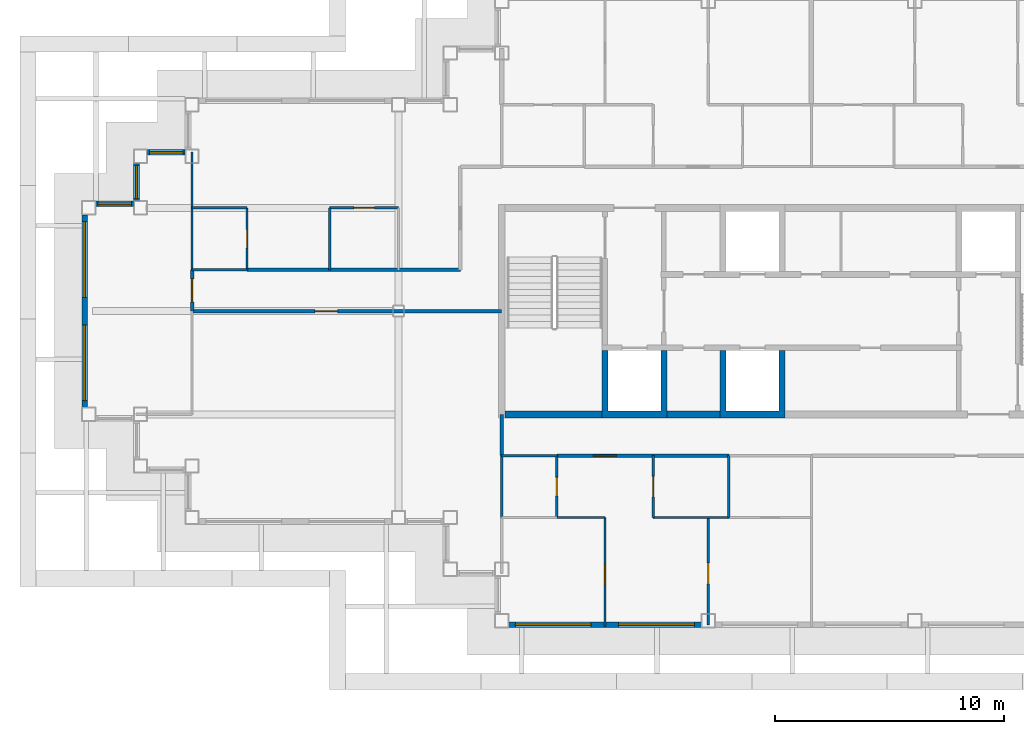
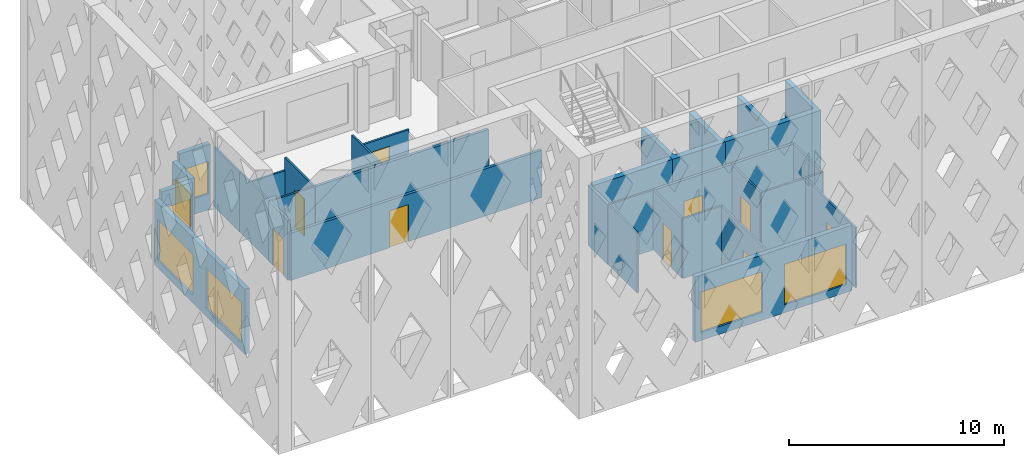
# One storey, part 2 of 15: 30 walls, 9 doors, 7 windows, 16 openings.
"""IFC4 building model written with IfcOpenShell, lengths in metres."""

from ifc_helpers import new_model, si_unit, direction, frame, frame_2d, origin, place, context, subcontext, project, spatial, polyline, rectangle, outline, extrude, material, layer, layer_set, type_object, element, fill, save


model = new_model("IFC4")

# Units and contexts
model_context = context("Model", 3, precision=1e-05, world=origin(), true_north=direction((0.0, 1.0)))
body_context = subcontext(model_context, "Body", "Model", "MODEL_VIEW")
ifc_project = project(units=[si_unit("LENGTHUNIT", "METRE"), si_unit("AREAUNIT", "SQUARE_METRE"), si_unit("VOLUMEUNIT", "CUBIC_METRE"), si_unit("PLANEANGLEUNIT", "RADIAN"), si_unit("MASSUNIT", "GRAM", prefix="KILO")], contexts=[model_context])

# Site, building, storey
site_placement = place(None, origin())
site = spatial("IfcSite", under=ifc_project, at=site_placement, CompositionType="ELEMENT")
building_placement = place(site_placement, origin())
building = spatial("IfcBuilding", under=site, at=building_placement, Name="Caravel Reach Hotel and Residences", CompositionType="ELEMENT")
storey_placement = place(building_placement, frame((0.0, 0.0, 237.89990234375)))
storey = spatial("IfcBuildingStorey", under=building, at=storey_placement, Name="L60", CompositionType="ELEMENT", Elevation=237.89990234375)

# Walls
ifc_material_1 = material(Name="Gypsum board on steel stud", Category="steel")
ifc_layer_1 = layer(ifc_material_1, 0.10009765625)
ifc_layer_set_1 = layer_set([ifc_layer_1], Name="Bathroom pod wall 100 mm")
wall_type_1 = type_object("IfcWallType", Name="Bathroom pod wall 100 mm", PredefinedType="PARTITIONING", material=ifc_layer_set_1)
for number, where, z_axis, x_axis, name in (
    (1, (18.0, 20.699951171875, 0.0), (0.0, 0.0, 1.0), (1.0, 0.0, 0.0), "L60 wall w053"),
    (2, (4.5, 28.800048828125, 0.0), (0.0, 0.0, 1.0), (1.0, 0.0, 0.0), "L60 wall w055"),
):
    element("IfcWall", number, at=place(storey_placement, frame(where, z_axis=z_axis, x_axis=x_axis)), inside=storey, type_object=wall_type_1, Name=name, PredefinedType="PARTITIONING", context=body_context, shape_type="SweptSolid", body=[
        extrude(rectangle(XDim=2.39990234375, YDim=0.10009765625, at=frame_2d((1.199951171875, 0.0))), origin(), (0.0, 0.0, 1.0), 3.400146484375),
    ])
wall_1_placement = place(storey_placement, frame((4.5, 31.5, 0.0), z_axis=(0.0, 0.0, 1.0), x_axis=(1.0, 0.0, 0.0)))
element("IfcWall", 3, at=wall_1_placement, inside=storey, type_object=wall_type_1, Name="L60 wall w056", PredefinedType="PARTITIONING", context=body_context, shape_type="SweptSolid", body=[
    extrude(rectangle(XDim=2.39990234375, YDim=0.10009765625, at=frame_2d((1.199951171875, 0.0))), origin(), (0.0, 0.0, 1.0), 2.68017578125),
])
wall_2_placement = place(storey_placement, frame((18.0, 18.0, 0.0), z_axis=(0.0, 0.0, 1.0), x_axis=(0.0, 1.0, 0.0)))
element("IfcWall", 4, at=wall_2_placement, inside=storey, type_object=wall_type_1, Name="L60 wall w067", PredefinedType="PARTITIONING", context=body_context, shape_type="SweptSolid", body=[
    extrude(rectangle(XDim=2.699951171875, YDim=0.10009765625, at=frame_2d((1.35009765625, 0.0))), origin(), (0.0, 0.0, 1.0), 3.400146484375),
])

# Wall, opening, door
wall_3_placement = place(storey_placement, frame((20.39990234375, 18.0, 0.0), z_axis=(0.0, 0.0, 1.0), x_axis=(0.0, 1.0, 0.0)))
wall_3 = element("IfcWall", 5, at=wall_3_placement, inside=storey, type_object=wall_type_1, Name="L60 wall w068", PredefinedType="PARTITIONING", context=body_context, shape_type="SweptSolid", body=[
    extrude(rectangle(XDim=2.699951171875, YDim=0.10009765625, at=frame_2d((1.35009765625, 0.0))), origin(), (0.0, 0.0, 1.0), 3.400146484375),
])
opening_1_placement = place(wall_3_placement, frame((0.949951171875, 0.0, 0.0)))
opening_1 = element("IfcOpeningElement", 6, at=opening_1_placement, cuts=wall_3, Name="Opening D60-033", PredefinedType="OPENING", context=body_context, shape_type="SweptSolid", body=[
    extrude(rectangle(XDim=0.800048828125, YDim=2.10009765625, at=frame_2d((0.39990234375, 1.050048828125))), frame((0.0, 0.06005859375, 0.0), z_axis=(0.0, -1.0, 0.0), x_axis=(1.0, 0.0, 0.0)), (0.0, 0.0, 1.0), 0.1201171875),
])
ifc_material_2 = material(Name="Timber and steel door leaf", Category="steel")
door_type_1 = type_object("IfcDoorType", Name="Bathroom door 800 x 2100", OperationType="SINGLE_SWING_LEFT", PredefinedType="DOOR", material=ifc_material_2)
door_1_placement = place(opening_1_placement, origin())
door_1 = element("IfcDoor", 7, at=door_1_placement, inside=storey, type_object=door_type_1, Name="door D60-033", OperationType="SINGLE_SWING_LEFT", OverallHeight=2.10009765625, OverallWidth=0.800048828125, PredefinedType="DOOR", context=body_context, shape_type="SweptSolid", body=[
    extrude(rectangle(XDim=0.800048828125, YDim=2.10009765625, at=frame_2d((0.39990234375, 1.050048828125))), frame((0.0, 0.02490234375, 0.0), z_axis=(0.0, -1.0, 0.0), x_axis=(1.0, 0.0, 0.0)), (0.0, 0.0, 1.0), 0.050048828125),
])
fill(opening_1, door_1)

# Walls
for number, where, z_axis, x_axis, name in (
    (8, (27.89990234375, 18.0, 0.0), (0.0, 0.0, 1.0), (0.0, 1.0, 0.0), "L60 wall w070"),
    (9, (4.5, 28.800048828125, 0.0), (0.0, 0.0, 1.0), (0.0, 1.0, 0.0), "L60 wall w075"),
):
    element("IfcWall", number, at=place(storey_placement, frame(where, z_axis=z_axis, x_axis=x_axis)), inside=storey, type_object=wall_type_1, Name=name, PredefinedType="PARTITIONING", context=body_context, shape_type="SweptSolid", body=[
        extrude(rectangle(XDim=2.699951171875, YDim=0.10009765625, at=frame_2d((1.35009765625, 0.0))), origin(), (0.0, 0.0, 1.0), 3.400146484375),
    ])

# Wall, opening, door
wall_4_placement = place(storey_placement, frame((6.89990234375, 28.800048828125, 0.0), z_axis=(0.0, 0.0, 1.0), x_axis=(0.0, 1.0, 0.0)))
wall_4 = element("IfcWall", 10, at=wall_4_placement, inside=storey, type_object=wall_type_1, Name="L60 wall w079", PredefinedType="PARTITIONING", context=body_context, shape_type="SweptSolid", body=[
    extrude(rectangle(XDim=2.699951171875, YDim=0.10009765625, at=frame_2d((1.35009765625, 0.0))), origin(), (0.0, 0.0, 1.0), 3.400146484375),
])
opening_2_placement = place(wall_4_placement, frame((0.949951171875, 0.0, 0.0)))
opening_2 = element("IfcOpeningElement", 11, at=opening_2_placement, cuts=wall_4, Name="Opening D60-029", PredefinedType="OPENING", context=body_context, shape_type="SweptSolid", body=[
    extrude(rectangle(XDim=0.800048828125, YDim=2.10009765625, at=frame_2d((0.39990234375, 1.050048828125))), frame((0.0, 0.06005859375, 0.0), z_axis=(0.0, -1.0, 0.0), x_axis=(1.0, 0.0, 0.0)), (0.0, 0.0, 1.0), 0.1201171875),
])
door_2_placement = place(opening_2_placement, origin())
door_2 = element("IfcDoor", 12, at=door_2_placement, inside=storey, type_object=door_type_1, Name="door D60-029", OperationType="SINGLE_SWING_RIGHT", OverallHeight=2.10009765625, OverallWidth=0.800048828125, PredefinedType="DOOR", context=body_context, shape_type="SweptSolid", body=[
    extrude(rectangle(XDim=0.800048828125, YDim=2.10009765625, at=frame_2d((0.39990234375, 1.050048828125))), frame((0.0, 0.02490234375, 0.0), z_axis=(0.0, -1.0, 0.0), x_axis=(1.0, 0.0, 0.0)), (0.0, 0.0, 1.0), 0.050048828125),
])
fill(opening_2, door_2)

# Walls
ifc_material_3 = material(Name="Concrete C60", Category="concrete")
ifc_layer_2 = layer(ifc_material_3, 0.300048828125)
ifc_layer_set_2 = layer_set([ifc_layer_2], Name="Core wall 300 mm EI 120")
wall_type_2 = type_object("IfcWallType", Name="Core wall 300 mm EI 120", PredefinedType="SHEAR", material=ifc_layer_set_2)
wall_5_placement = place(storey_placement, frame((18.14990234375, 22.5, 0.0), z_axis=(0.0, 0.0, 1.0), x_axis=(1.0, 0.0, 0.0)))
element("IfcWall", 13, at=wall_5_placement, inside=storey, type_object=wall_type_2, Name="L60 core wall S1", PredefinedType="SHEAR", context=body_context, shape_type="SweptSolid", body=[
    extrude(rectangle(XDim=4.22509765625, YDim=0.300048828125, at=frame_2d((2.112548828125, 0.0))), origin(), (0.0, 0.0, 1.0), 3.400146484375),
])
wall_6_placement = place(storey_placement, frame((25.196533203125, 22.5, 0.0), z_axis=(0.0, 0.0, 1.0), x_axis=(1.0, 0.0, 0.0)))
element("IfcWall", 14, at=wall_6_placement, inside=storey, type_object=wall_type_2, Name="L60 core wall S2", PredefinedType="SHEAR", context=body_context, shape_type="SweptSolid", body=[
    extrude(rectangle(XDim=2.3212890625, YDim=0.300048828125, at=frame_2d((1.16064453125, 0.0))), origin(), (0.0, 0.0, 1.0), 3.400146484375),
])

# Wall, opening, door
ifc_material_4 = material(Name="Gypsum board on steel stud, fire-rated", Category="steel")
ifc_layer_3 = layer(ifc_material_4, 0.14990234375)
ifc_layer_set_3 = layer_set([ifc_layer_3], Name="Corridor wall 150 mm EI 60")
wall_type_3 = type_object("IfcWallType", Name="Corridor wall 150 mm EI 60", PredefinedType="PARTITIONING", material=ifc_layer_set_3)
wall_7_placement = place(storey_placement, frame((20.39990234375, 20.699951171875, 0.0), z_axis=(0.0, 0.0, 1.0), x_axis=(1.0, 0.0, 0.0)))
wall_7 = element("IfcWall", 15, at=wall_7_placement, inside=storey, type_object=wall_type_3, Name="L60 wall w001", PredefinedType="PARTITIONING", context=body_context, shape_type="SweptSolid", body=[
    extrude(rectangle(XDim=7.5, YDim=0.14990234375, at=frame_2d((3.75, 0.0))), origin(), (0.0, 0.0, 1.0), 3.400146484375),
])
opening_3_placement = place(wall_7_placement, frame((1.60009765625, 0.0, 0.0)))
opening_3 = element("IfcOpeningElement", 16, at=opening_3_placement, cuts=wall_7, Name="Opening D60-032", PredefinedType="OPENING", context=body_context, shape_type="SweptSolid", body=[
    extrude(rectangle(XDim=1.0, YDim=2.199951171875, at=frame_2d((0.5, 1.10009765625))), frame((0.0, 0.0849609375, 0.0), z_axis=(0.0, -1.0, 0.0), x_axis=(1.0, 0.0, 0.0)), (0.0, 0.0, 1.0), 0.169921875),
])
ifc_material_5 = material(Name="Steel fire door leaf", Category="steel")
door_type_2 = type_object("IfcDoorType", Name="Flat entrance door 1000 x 2200 EI 60", OperationType="SINGLE_SWING_LEFT", PredefinedType="DOOR", material=ifc_material_5)
door_3_placement = place(opening_3_placement, origin())
door_3 = element("IfcDoor", 17, at=door_3_placement, inside=storey, type_object=door_type_2, Name="door D60-032", OperationType="SINGLE_SWING_RIGHT", OverallHeight=2.199951171875, OverallWidth=1.0, PredefinedType="DOOR", context=body_context, shape_type="SweptSolid", body=[
    extrude(rectangle(XDim=1.0, YDim=2.199951171875, at=frame_2d((0.5, 1.10009765625))), frame((0.0, 0.02490234375, 0.0), z_axis=(0.0, -1.0, 0.0), x_axis=(1.0, 0.0, 0.0)), (0.0, 0.0, 1.0), 0.050048828125),
])
fill(opening_3, door_3)

wall_8_placement = place(storey_placement, frame((4.5, 27.0, 0.0), z_axis=(0.0, 0.0, 1.0), x_axis=(1.0, 0.0, 0.0)))
wall_8 = element("IfcWall", 18, at=wall_8_placement, inside=storey, type_object=wall_type_3, Name="L60 wall w006", PredefinedType="PARTITIONING", context=body_context, shape_type="SweptSolid", body=[
    extrude(rectangle(XDim=13.5, YDim=0.14990234375, at=frame_2d((6.75, 0.0))), origin(), (0.0, 0.0, 1.0), 2.68017578125),
])
opening_4_placement = place(wall_8_placement, frame((5.35009765625, 0.0, 0.0)))
opening_4 = element("IfcOpeningElement", 19, at=opening_4_placement, cuts=wall_8, Name="Opening D60-031", PredefinedType="OPENING", context=body_context, shape_type="SweptSolid", body=[
    extrude(rectangle(XDim=1.0, YDim=2.10009765625, at=frame_2d((0.5, 1.050048828125))), frame((0.0, 0.0849609375, 0.0), z_axis=(0.0, -1.0, 0.0), x_axis=(1.0, 0.0, 0.0)), (0.0, 0.0, 1.0), 0.169921875),
])
ifc_material_6 = material(Name="Steel fire door leaf", Category="steel")
door_type_3 = type_object("IfcDoorType", Name="Fire door 1000 x 2100 EI 60", OperationType="SINGLE_SWING_LEFT", PredefinedType="DOOR", material=ifc_material_6)
door_4_placement = place(opening_4_placement, origin())
door_4 = element("IfcDoor", 20, at=door_4_placement, inside=storey, type_object=door_type_3, Name="door D60-031", OperationType="SINGLE_SWING_LEFT", OverallHeight=2.10009765625, OverallWidth=1.0, PredefinedType="DOOR", context=body_context, shape_type="SweptSolid", body=[
    extrude(rectangle(XDim=1.0, YDim=2.10009765625, at=frame_2d((0.5, 1.050048828125))), frame((0.0, 0.02490234375, 0.0), z_axis=(0.0, -1.0, 0.0), x_axis=(1.0, 0.0, 0.0)), (0.0, 0.0, 1.0), 0.050048828125),
])
fill(opening_4, door_4)

# Walls
wall_9_placement = place(storey_placement, frame((6.89990234375, 28.800048828125, 0.0), z_axis=(0.0, 0.0, 1.0), x_axis=(1.0, 0.0, 0.0)))
element("IfcWall", 21, at=wall_9_placement, inside=storey, type_object=wall_type_3, Name="L60 wall w007", PredefinedType="PARTITIONING", context=body_context, shape_type="SweptSolid", body=[
    extrude(rectangle(XDim=9.299072265625, YDim=0.14990234375, at=frame_2d((4.6494140625, 0.0))), origin(), (0.0, 0.0, 1.0), 3.400146484375),
])
wall_10_placement = place(storey_placement, frame((18.0, 20.699951171875, 0.0), z_axis=(0.0, 0.0, 1.0), x_axis=(0.0, 1.0, 0.0)))
element("IfcWall", 22, at=wall_10_placement, inside=storey, type_object=wall_type_3, Name="L60 wall w016", PredefinedType="PARTITIONING", context=body_context, shape_type="SweptSolid", body=[
    extrude(rectangle(XDim=1.800048828125, YDim=0.14990234375, at=frame_2d((0.89990234375, 0.0))), origin(), (0.0, 0.0, 1.0), 3.400146484375),
])

# Wall, opening, door
wall_11_placement = place(storey_placement, frame((4.5, 27.0, 0.0), z_axis=(0.0, 0.0, 1.0), x_axis=(0.0, 1.0, 0.0)))
wall_11 = element("IfcWall", 23, at=wall_11_placement, inside=storey, type_object=wall_type_3, Name="L60 wall w017", PredefinedType="PARTITIONING", context=body_context, shape_type="SweptSolid", body=[
    extrude(rectangle(XDim=1.800048828125, YDim=0.14990234375, at=frame_2d((0.89990234375, 0.0))), origin(), (0.0, 0.0, 1.0), 3.400146484375),
])
opening_5_placement = place(wall_11_placement, frame((0.39990234375, 0.0, 0.0)))
opening_5 = element("IfcOpeningElement", 24, at=opening_5_placement, cuts=wall_11, Name="Opening D60-039", PredefinedType="OPENING", context=body_context, shape_type="SweptSolid", body=[
    extrude(rectangle(XDim=1.0, YDim=2.10009765625, at=frame_2d((0.5, 1.050048828125))), frame((0.0, 0.0849609375, 0.0), z_axis=(0.0, -1.0, 0.0), x_axis=(1.0, 0.0, 0.0)), (0.0, 0.0, 1.0), 0.169921875),
])
door_5_placement = place(opening_5_placement, origin())
door_5 = element("IfcDoor", 25, at=door_5_placement, inside=storey, type_object=door_type_3, Name="door D60-039", OperationType="SINGLE_SWING_RIGHT", OverallHeight=2.10009765625, OverallWidth=1.0, PredefinedType="DOOR", context=body_context, shape_type="SweptSolid", body=[
    extrude(rectangle(XDim=1.0, YDim=2.10009765625, at=frame_2d((0.5, 1.050048828125))), frame((0.0, 0.02490234375, 0.0), z_axis=(0.0, -1.0, 0.0), x_axis=(1.0, 0.0, 0.0)), (0.0, 0.0, 1.0), 0.050048828125),
])
fill(opening_5, door_5)

# Wall, openings, windows
ifc_material_7 = material(Name="Insulated rainscreen wall, aluminium cladding", Category="aluminium")
ifc_layer_4 = layer(ifc_material_7, 0.25)
ifc_layer_set_4 = layer_set([ifc_layer_4], Name="EW1 Tower rainscreen wall")
wall_type_4 = type_object("IfcWallType", Name="EW1 Tower rainscreen wall", PredefinedType="SOLIDWALL", material=ifc_layer_set_4)
wall_12_placement = place(storey_placement, frame((18.300048828125, 13.324951171875, 0.0), z_axis=(0.0, 0.0, 1.0), x_axis=(1.0, 0.0, 0.0)))
wall_12 = element("IfcWall", 26, at=wall_12_placement, inside=storey, type_object=wall_type_4, Name="External wall L60 S4.1", PredefinedType="SOLIDWALL", context=body_context, shape_type="SweptSolid", body=[
    extrude(rectangle(XDim=8.39990234375, YDim=0.25, at=frame_2d((4.199951171875, 0.0))), origin(), (0.0, 0.0, 1.0), 3.7001953125),
])
opening_6_placement = place(wall_12_placement, frame((0.300048828125, 0.0, 0.449951171875)))
opening_6 = element("IfcOpeningElement", 27, at=opening_6_placement, cuts=wall_12, Name="Opening WN15", PredefinedType="OPENING", context=body_context, shape_type="SweptSolid", body=[
    extrude(rectangle(XDim=3.300048828125, YDim=2.300048828125, at=frame_2d((1.64990234375, 1.14990234375))), frame((0.0, 0.135009765625, 0.0), z_axis=(0.0, -1.0, 0.0), x_axis=(1.0, 0.0, 0.0)), (0.0, 0.0, 1.0), 0.27001953125),
])
opening_7_placement = place(wall_12_placement, frame((4.800048828125, 0.0, 0.449951171875)))
opening_7 = element("IfcOpeningElement", 28, at=opening_7_placement, cuts=wall_12, Name="Opening WN15", PredefinedType="OPENING", context=body_context, shape_type="SweptSolid", body=[
    extrude(rectangle(XDim=3.300048828125, YDim=2.300048828125, at=frame_2d((1.64990234375, 1.14990234375))), frame((0.0, 0.135009765625, 0.0), z_axis=(0.0, -1.0, 0.0), x_axis=(1.0, 0.0, 0.0)), (0.0, 0.0, 1.0), 0.27001953125),
])
ifc_material_8 = material(Name="Dark low-e glazing in black aluminium frame", Category="aluminium")
window_type_1 = type_object("IfcWindowType", Name="Residence living window 3300 x 2300", PartitioningType="SINGLE_PANEL", PredefinedType="WINDOW", material=ifc_material_8)
window_1_placement = place(opening_6_placement, origin())
window_1 = element("IfcWindow", 29, at=window_1_placement, inside=storey, type_object=window_type_1, Name="Window L60 S4.1.1", OverallHeight=2.300048828125, OverallWidth=3.300048828125, PartitioningType="SINGLE_PANEL", PredefinedType="WINDOW", context=body_context, shape_type="SweptSolid", body=[
    extrude(rectangle(XDim=3.300048828125, YDim=2.300048828125, at=frame_2d((1.64990234375, 1.14990234375))), frame((0.0, 0.030029296875, 0.0), z_axis=(0.0, -1.0, 0.0), x_axis=(1.0, 0.0, 0.0)), (0.0, 0.0, 1.0), 0.06005859375),
])
fill(opening_6, window_1)
window_2_placement = place(opening_7_placement, origin())
window_2 = element("IfcWindow", 30, at=window_2_placement, inside=storey, type_object=window_type_1, Name="Window L60 S4.1.2", OverallHeight=2.300048828125, OverallWidth=3.300048828125, PartitioningType="SINGLE_PANEL", PredefinedType="WINDOW", context=body_context, shape_type="SweptSolid", body=[
    extrude(rectangle(XDim=3.300048828125, YDim=2.300048828125, at=frame_2d((1.64990234375, 1.14990234375))), frame((0.0, 0.030029296875, 0.0), z_axis=(0.0, -1.0, 0.0), x_axis=(1.0, 0.0, 0.0)), (0.0, 0.0, 1.0), 0.06005859375),
])
fill(opening_7, window_2)

# Wall, opening, window
wall_13_placement = place(storey_placement, frame((4.199951171875, 33.925048828125, 0.0), z_axis=(0.0, 0.0, 1.0), x_axis=(-1.0, 0.0, 0.0)))
wall_13 = element("IfcWall", 31, at=wall_13_placement, inside=storey, type_object=wall_type_4, Name="External wall L60 N20.1", PredefinedType="SOLIDWALL", context=body_context, shape_type="SweptSolid", body=[
    extrude(rectangle(XDim=1.64990234375, YDim=0.25, at=frame_2d((0.824951171875, 0.0))), origin(), (0.0, 0.0, 1.0), 3.7001953125),
])
opening_8_placement = place(wall_13_placement, frame((0.10009765625, 0.0, 0.89990234375)))
opening_8 = element("IfcOpeningElement", 32, at=opening_8_placement, cuts=wall_13, Name="Opening WN25", PredefinedType="OPENING", context=body_context, shape_type="SweptSolid", body=[
    extrude(rectangle(XDim=1.449951171875, YDim=1.85009765625, at=frame_2d((0.72509765625, 0.925048828125))), frame((0.0, 0.135009765625, 0.0), z_axis=(0.0, -1.0, 0.0), x_axis=(1.0, 0.0, 0.0)), (0.0, 0.0, 1.0), 0.27001953125),
])
ifc_material_9 = material(Name="Dark low-e glazing in black aluminium frame", Category="aluminium")
window_type_2 = type_object("IfcWindowType", Name="Residence bedroom window 1450 x 1850", PartitioningType="SINGLE_PANEL", PredefinedType="WINDOW", material=ifc_material_9)
window_3_placement = place(opening_8_placement, origin())
window_3 = element("IfcWindow", 33, at=window_3_placement, inside=storey, type_object=window_type_2, Name="Window L60 N20.1.1", OverallHeight=1.85009765625, OverallWidth=1.449951171875, PartitioningType="SINGLE_PANEL", PredefinedType="WINDOW", context=body_context, shape_type="SweptSolid", body=[
    extrude(rectangle(XDim=1.449951171875, YDim=1.85009765625, at=frame_2d((0.72509765625, 0.925048828125))), frame((0.0, 0.030029296875, 0.0), z_axis=(0.0, -1.0, 0.0), x_axis=(1.0, 0.0, 0.0)), (0.0, 0.0, 1.0), 0.06005859375),
])
fill(opening_8, window_3)

wall_14_placement = place(storey_placement, frame((2.074951171875, 33.449951171875, 0.0), z_axis=(0.0, 0.0, 1.0), x_axis=(0.0, -1.0, 0.0)))
wall_14 = element("IfcWall", 34, at=wall_14_placement, inside=storey, type_object=wall_type_4, Name="External wall L60 W21.1", PredefinedType="SOLIDWALL", context=body_context, shape_type="SweptSolid", body=[
    extrude(rectangle(XDim=1.64990234375, YDim=0.25, at=frame_2d((0.824951171875, 0.0))), origin(), (0.0, 0.0, 1.0), 3.7001953125),
])
opening_9_placement = place(wall_14_placement, frame((0.10009765625, 0.0, 0.89990234375)))
opening_9 = element("IfcOpeningElement", 35, at=opening_9_placement, cuts=wall_14, Name="Opening WN25", PredefinedType="OPENING", context=body_context, shape_type="SweptSolid", body=[
    extrude(rectangle(XDim=1.449951171875, YDim=1.85009765625, at=frame_2d((0.72509765625, 0.925048828125))), frame((0.0, 0.135009765625, 0.0), z_axis=(0.0, -1.0, 0.0), x_axis=(1.0, 0.0, 0.0)), (0.0, 0.0, 1.0), 0.27001953125),
])
window_4_placement = place(opening_9_placement, origin())
window_4 = element("IfcWindow", 36, at=window_4_placement, inside=storey, type_object=window_type_2, Name="Window L60 W21.1.1", OverallHeight=1.85009765625, OverallWidth=1.449951171875, PartitioningType="SINGLE_PANEL", PredefinedType="WINDOW", context=body_context, shape_type="SweptSolid", body=[
    extrude(rectangle(XDim=1.449951171875, YDim=1.85009765625, at=frame_2d((0.72509765625, 0.925048828125))), frame((0.0, 0.030029296875, 0.0), z_axis=(0.0, -1.0, 0.0), x_axis=(1.0, 0.0, 0.0)), (0.0, 0.0, 1.0), 0.06005859375),
])
fill(opening_9, window_4)

wall_15_placement = place(storey_placement, frame((1.949951171875, 31.675048828125, 0.0), z_axis=(0.0, 0.0, 1.0), x_axis=(-1.0, 0.0, 0.0)))
wall_15 = element("IfcWall", 37, at=wall_15_placement, inside=storey, type_object=wall_type_4, Name="External wall L60 N22.1", PredefinedType="SOLIDWALL", context=body_context, shape_type="SweptSolid", body=[
    extrude(rectangle(XDim=1.64990234375, YDim=0.25, at=frame_2d((0.824951171875, 0.0))), origin(), (0.0, 0.0, 1.0), 3.7001953125),
])
opening_10_placement = place(wall_15_placement, frame((0.10009765625, 0.0, 0.89990234375)))
opening_10 = element("IfcOpeningElement", 38, at=opening_10_placement, cuts=wall_15, Name="Opening WN25", PredefinedType="OPENING", context=body_context, shape_type="SweptSolid", body=[
    extrude(rectangle(XDim=1.449951171875, YDim=1.85009765625, at=frame_2d((0.72509765625, 0.925048828125))), frame((0.0, 0.135009765625, 0.0), z_axis=(0.0, -1.0, 0.0), x_axis=(1.0, 0.0, 0.0)), (0.0, 0.0, 1.0), 0.27001953125),
])
window_5_placement = place(opening_10_placement, origin())
window_5 = element("IfcWindow", 39, at=window_5_placement, inside=storey, type_object=window_type_2, Name="Window L60 N22.1.1", OverallHeight=1.85009765625, OverallWidth=1.449951171875, PartitioningType="SINGLE_PANEL", PredefinedType="WINDOW", context=body_context, shape_type="SweptSolid", body=[
    extrude(rectangle(XDim=1.449951171875, YDim=1.85009765625, at=frame_2d((0.72509765625, 0.925048828125))), frame((0.0, 0.030029296875, 0.0), z_axis=(0.0, -1.0, 0.0), x_axis=(1.0, 0.0, 0.0)), (0.0, 0.0, 1.0), 0.06005859375),
])
fill(opening_10, window_5)

# Wall, openings, windows
wall_16_placement = place(storey_placement, frame((-0.175048828125, 31.199951171875, 0.0), z_axis=(0.0, 0.0, 1.0), x_axis=(0.0, -1.0, 0.0)))
wall_16 = element("IfcWall", 40, at=wall_16_placement, inside=storey, type_object=wall_type_4, Name="External wall L60 W23.1", PredefinedType="SOLIDWALL", context=body_context, shape_type="SweptSolid", body=[
    extrude(rectangle(XDim=8.39990234375, YDim=0.25, at=frame_2d((4.199951171875, 0.0))), origin(), (0.0, 0.0, 1.0), 3.7001953125),
])
opening_11_placement = place(wall_16_placement, frame((0.300048828125, 0.0, 0.449951171875)))
opening_11 = element("IfcOpeningElement", 41, at=opening_11_placement, cuts=wall_16, Name="Opening WN15", PredefinedType="OPENING", context=body_context, shape_type="SweptSolid", body=[
    extrude(rectangle(XDim=3.300048828125, YDim=2.300048828125, at=frame_2d((1.64990234375, 1.14990234375))), frame((0.0, 0.135009765625, 0.0), z_axis=(0.0, -1.0, 0.0), x_axis=(1.0, 0.0, 0.0)), (0.0, 0.0, 1.0), 0.27001953125),
])
opening_12_placement = place(wall_16_placement, frame((4.800048828125, 0.0, 0.449951171875)))
opening_12 = element("IfcOpeningElement", 42, at=opening_12_placement, cuts=wall_16, Name="Opening WN15", PredefinedType="OPENING", context=body_context, shape_type="SweptSolid", body=[
    extrude(rectangle(XDim=3.300048828125, YDim=2.300048828125, at=frame_2d((1.64990234375, 1.14990234375))), frame((0.0, 0.135009765625, 0.0), z_axis=(0.0, -1.0, 0.0), x_axis=(1.0, 0.0, 0.0)), (0.0, 0.0, 1.0), 0.27001953125),
])
window_6_placement = place(opening_11_placement, origin())
window_6 = element("IfcWindow", 43, at=window_6_placement, inside=storey, type_object=window_type_1, Name="Window L60 W23.1.1", OverallHeight=2.300048828125, OverallWidth=3.300048828125, PartitioningType="SINGLE_PANEL", PredefinedType="WINDOW", context=body_context, shape_type="SweptSolid", body=[
    extrude(rectangle(XDim=3.300048828125, YDim=2.300048828125, at=frame_2d((1.64990234375, 1.14990234375))), frame((0.0, 0.030029296875, 0.0), z_axis=(0.0, -1.0, 0.0), x_axis=(1.0, 0.0, 0.0)), (0.0, 0.0, 1.0), 0.06005859375),
])
fill(opening_11, window_6)
window_7_placement = place(opening_12_placement, origin())
window_7 = element("IfcWindow", 44, at=window_7_placement, inside=storey, type_object=window_type_1, Name="Window L60 W23.1.2", OverallHeight=2.300048828125, OverallWidth=3.300048828125, PartitioningType="SINGLE_PANEL", PredefinedType="WINDOW", context=body_context, shape_type="SweptSolid", body=[
    extrude(rectangle(XDim=3.300048828125, YDim=2.300048828125, at=frame_2d((1.64990234375, 1.14990234375))), frame((0.0, 0.030029296875, 0.0), z_axis=(0.0, -1.0, 0.0), x_axis=(1.0, 0.0, 0.0)), (0.0, 0.0, 1.0), 0.06005859375),
])
fill(opening_12, window_7)

# Walls
ifc_material_10 = material(Name="Gypsum board on steel stud", Category="steel")
ifc_layer_5 = layer(ifc_material_10, 0.10009765625)
ifc_layer_set_5 = layer_set([ifc_layer_5], Name="Partition 100 mm")
wall_type_5 = type_object("IfcWallType", Name="Partition 100 mm", PredefinedType="PARTITIONING", material=ifc_layer_set_5)
wall_17_placement = place(storey_placement, frame((20.39990234375, 18.0, 0.0), z_axis=(0.0, 0.0, 1.0), x_axis=(1.0, 0.0, 0.0)))
element("IfcWall", 45, at=wall_17_placement, inside=storey, type_object=wall_type_5, Name="L60 wall w019", PredefinedType="PARTITIONING", context=body_context, shape_type="SweptSolid", body=[
    extrude(rectangle(XDim=2.10009765625, YDim=0.10009765625, at=frame_2d((1.050048828125, 0.0))), origin(), (0.0, 0.0, 1.0), 3.400146484375),
])
wall_18_placement = place(storey_placement, frame((24.60009765625, 18.0, 0.0), z_axis=(0.0, 0.0, 1.0), x_axis=(1.0, 0.0, 0.0)))
element("IfcWall", 46, at=wall_18_placement, inside=storey, type_object=wall_type_5, Name="L60 wall w021", PredefinedType="PARTITIONING", context=body_context, shape_type="SweptSolid", body=[
    extrude(rectangle(XDim=3.2998046875, YDim=0.10009765625, at=frame_2d((1.64990234375, 0.0))), origin(), (0.0, 0.0, 1.0), 3.400146484375),
])

# Wall, opening, door
wall_19_placement = place(storey_placement, frame((10.5, 31.5, 0.0), z_axis=(0.0, 0.0, 1.0), x_axis=(1.0, 0.0, 0.0)))
wall_19 = element("IfcWall", 47, at=wall_19_placement, inside=storey, type_object=wall_type_5, Name="L60 wall w023", PredefinedType="PARTITIONING", context=body_context, shape_type="SweptSolid", body=[
    extrude(rectangle(XDim=3.0, YDim=0.10009765625, at=frame_2d((1.5, 0.0))), origin(), (0.0, 0.0, 1.0), 2.68017578125),
])
opening_13_placement = place(wall_19_placement, frame((1.050048828125, 0.0, 0.0)))
opening_13 = element("IfcOpeningElement", 48, at=opening_13_placement, cuts=wall_19, Name="Opening D60-030", PredefinedType="OPENING", context=body_context, shape_type="SweptSolid", body=[
    extrude(rectangle(XDim=0.89990234375, YDim=2.10009765625, at=frame_2d((0.449951171875, 1.050048828125))), frame((0.0, 0.06005859375, 0.0), z_axis=(0.0, -1.0, 0.0), x_axis=(1.0, 0.0, 0.0)), (0.0, 0.0, 1.0), 0.1201171875),
])
ifc_material_11 = material(Name="Timber and steel door leaf", Category="steel")
door_type_4 = type_object("IfcDoorType", Name="Door 900 x 2100 timber", OperationType="SINGLE_SWING_LEFT", PredefinedType="DOOR", material=ifc_material_11)
door_6_placement = place(opening_13_placement, origin())
door_6 = element("IfcDoor", 49, at=door_6_placement, inside=storey, type_object=door_type_4, Name="door D60-030", OperationType="SINGLE_SWING_LEFT", OverallHeight=2.10009765625, OverallWidth=0.89990234375, PredefinedType="DOOR", context=body_context, shape_type="SweptSolid", body=[
    extrude(rectangle(XDim=0.89990234375, YDim=2.10009765625, at=frame_2d((0.449951171875, 1.050048828125))), frame((0.0, 0.02490234375, 0.0), z_axis=(0.0, -1.0, 0.0), x_axis=(1.0, 0.0, 0.0)), (0.0, 0.0, 1.0), 0.050048828125),
])
fill(opening_13, door_6)

# Wall
wall_20_placement = place(storey_placement, frame((10.5, 28.800048828125, 0.0), z_axis=(0.0, 0.0, 1.0), x_axis=(0.0, 1.0, 0.0)))
element("IfcWall", 50, at=wall_20_placement, inside=storey, type_object=wall_type_5, Name="L60 wall w032", PredefinedType="PARTITIONING", context=body_context, shape_type="SweptSolid", body=[
    extrude(rectangle(XDim=2.699951171875, YDim=0.10009765625, at=frame_2d((1.35009765625, 0.0))), origin(), (0.0, 0.0, 1.0), 3.400146484375),
])

# Wall, opening, door
wall_21_placement = place(storey_placement, frame((22.5, 13.260009765625, 0.0), z_axis=(0.0, 0.0, 1.0), x_axis=(0.0, 1.0, 0.0)))
wall_21 = element("IfcWall", 51, at=wall_21_placement, inside=storey, type_object=wall_type_5, Name="L60 wall w036", PredefinedType="PARTITIONING", context=body_context, shape_type="SweptSolid", body=[
    extrude(rectangle(XDim=4.739990234375, YDim=0.10009765625, at=frame_2d((2.3701171875, 0.0))), origin(), (0.0, 0.0, 1.0), 3.400146484375),
])
opening_14_placement = place(wall_21_placement, frame((1.800048828125, 0.0, 0.0)))
opening_14 = element("IfcOpeningElement", 52, at=opening_14_placement, cuts=wall_21, Name="Opening D60-036", PredefinedType="OPENING", context=body_context, shape_type="SweptSolid", body=[
    extrude(rectangle(XDim=0.89990234375, YDim=2.10009765625, at=frame_2d((0.449951171875, 1.050048828125))), frame((0.0, 0.06005859375, 0.0), z_axis=(0.0, -1.0, 0.0), x_axis=(1.0, 0.0, 0.0)), (0.0, 0.0, 1.0), 0.1201171875),
])
door_7_placement = place(opening_14_placement, origin())
door_7 = element("IfcDoor", 53, at=door_7_placement, inside=storey, type_object=door_type_4, Name="door D60-036", OperationType="SINGLE_SWING_RIGHT", OverallHeight=2.10009765625, OverallWidth=0.89990234375, PredefinedType="DOOR", context=body_context, shape_type="SweptSolid", body=[
    extrude(rectangle(XDim=0.89990234375, YDim=2.10009765625, at=frame_2d((0.449951171875, 1.050048828125))), frame((0.0, 0.02490234375, 0.0), z_axis=(0.0, -1.0, 0.0), x_axis=(1.0, 0.0, 0.0)), (0.0, 0.0, 1.0), 0.050048828125),
])
fill(opening_14, door_7)

wall_22_placement = place(storey_placement, frame((24.60009765625, 18.0, 0.0), z_axis=(0.0, 0.0, 1.0), x_axis=(0.0, 1.0, 0.0)))
wall_22 = element("IfcWall", 54, at=wall_22_placement, inside=storey, type_object=wall_type_5, Name="L60 wall w038", PredefinedType="PARTITIONING", context=body_context, shape_type="SweptSolid", body=[
    extrude(rectangle(XDim=2.699951171875, YDim=0.10009765625, at=frame_2d((1.35009765625, 0.0))), origin(), (0.0, 0.0, 1.0), 3.400146484375),
])
opening_15_placement = place(wall_22_placement, frame((0.89990234375, 0.0, 0.0)))
opening_15 = element("IfcOpeningElement", 55, at=opening_15_placement, cuts=wall_22, Name="Opening D60-034", PredefinedType="OPENING", context=body_context, shape_type="SweptSolid", body=[
    extrude(rectangle(XDim=0.89990234375, YDim=2.10009765625, at=frame_2d((0.449951171875, 1.050048828125))), frame((0.0, 0.06005859375, 0.0), z_axis=(0.0, -1.0, 0.0), x_axis=(1.0, 0.0, 0.0)), (0.0, 0.0, 1.0), 0.1201171875),
])
door_8_placement = place(opening_15_placement, origin())
door_8 = element("IfcDoor", 56, at=door_8_placement, inside=storey, type_object=door_type_4, Name="door D60-034", OperationType="SINGLE_SWING_LEFT", OverallHeight=2.10009765625, OverallWidth=0.89990234375, PredefinedType="DOOR", context=body_context, shape_type="SweptSolid", body=[
    extrude(rectangle(XDim=0.89990234375, YDim=2.10009765625, at=frame_2d((0.449951171875, 1.050048828125))), frame((0.0, 0.02490234375, 0.0), z_axis=(0.0, -1.0, 0.0), x_axis=(1.0, 0.0, 0.0)), (0.0, 0.0, 1.0), 0.050048828125),
])
fill(opening_15, door_8)

wall_23_placement = place(storey_placement, frame((27.0, 13.31005859375, 0.0), z_axis=(0.0, 0.0, 1.0), x_axis=(0.0, 1.0, 0.0)))
wall_23 = element("IfcWall", 57, at=wall_23_placement, inside=storey, type_object=wall_type_5, Name="L60 wall w040", PredefinedType="PARTITIONING", context=body_context, shape_type="SweptSolid", body=[
    extrude(rectangle(XDim=4.68994140625, YDim=0.10009765625, at=frame_2d((2.344970703125, 0.0))), origin(), (0.0, 0.0, 1.0), 3.400146484375),
])
opening_16_placement = place(wall_23_placement, frame((1.800048828125, 0.0, 0.0)))
opening_16 = element("IfcOpeningElement", 58, at=opening_16_placement, cuts=wall_23, Name="Opening D60-037", PredefinedType="OPENING", context=body_context, shape_type="SweptSolid", body=[
    extrude(rectangle(XDim=0.89990234375, YDim=2.10009765625, at=frame_2d((0.449951171875, 1.050048828125))), frame((0.0, 0.06005859375, 0.0), z_axis=(0.0, -1.0, 0.0), x_axis=(1.0, 0.0, 0.0)), (0.0, 0.0, 1.0), 0.1201171875),
])
door_9_placement = place(opening_16_placement, origin())
door_9 = element("IfcDoor", 59, at=door_9_placement, inside=storey, type_object=door_type_4, Name="door D60-037", OperationType="SINGLE_SWING_LEFT", OverallHeight=2.10009765625, OverallWidth=0.89990234375, PredefinedType="DOOR", context=body_context, shape_type="SweptSolid", body=[
    extrude(rectangle(XDim=0.89990234375, YDim=2.10009765625, at=frame_2d((0.449951171875, 1.050048828125))), frame((0.0, 0.02490234375, 0.0), z_axis=(0.0, -1.0, 0.0), x_axis=(1.0, 0.0, 0.0)), (0.0, 0.0, 1.0), 0.050048828125),
])
fill(opening_16, door_9)

# Walls
wall_24_placement = place(storey_placement, frame((4.5, 31.5009765625, 0.0), z_axis=(0.0, 0.0, 1.0), x_axis=(0.0, 1.0, 0.0)))
element("IfcWall", 60, at=wall_24_placement, inside=storey, type_object=wall_type_5, Name="L60 wall w044", PredefinedType="PARTITIONING", context=body_context, shape_type="SweptSolid", body=[
    extrude(rectangle(XDim=2.43896484375, YDim=0.10009765625, at=frame_2d((1.219482421875, 0.0))), origin(), (0.0, 0.0, 1.0), 3.400146484375),
])
ifc_material_12 = material(Name="Concrete C60", Category="concrete")
ifc_layer_6 = layer(ifc_material_12, 0.25)
ifc_layer_set_6 = layer_set([ifc_layer_6], Name="Shaft wall 250 mm EI 120")
wall_type_6 = type_object("IfcWallType", Name="Shaft wall 250 mm EI 120", PredefinedType="SHEAR", material=ifc_layer_set_6)
wall_25_placement = place(storey_placement, origin())
element("IfcWall", 61, at=wall_25_placement, inside=storey, type_object=wall_type_6, Name="L60 lift shaft wall S1", PredefinedType="SHEAR", context=body_context, shape_type="SweptSolid", body=[
    extrude(outline(polyline([(22.375, 22.35009765625), (25.196533203125, 22.35009765625), (25.196533203125, 25.27490234375), (24.946533203125, 25.27490234375), (24.946533203125, 22.64990234375), (22.625, 22.64990234375), (22.625, 25.27490234375), (22.375, 25.27490234375), (22.375, 22.35009765625)])), origin(), (0.0, 0.0, 1.0), 3.400146484375),
])
wall_26_placement = place(storey_placement, origin())
element("IfcWall", 62, at=wall_26_placement, inside=storey, type_object=wall_type_6, Name="L60 lift shaft wall S2", PredefinedType="SHEAR", context=body_context, shape_type="SweptSolid", body=[
    extrude(outline(polyline([(27.517822265625, 22.35009765625), (30.33935546875, 22.35009765625), (30.33935546875, 25.27490234375), (30.08935546875, 25.27490234375), (30.08935546875, 22.64990234375), (27.767822265625, 22.64990234375), (27.767822265625, 25.27490234375), (27.517822265625, 25.27490234375), (27.517822265625, 22.35009765625)])), origin(), (0.0, 0.0, 1.0), 3.400146484375),
])

save(model, "model.ifc")
